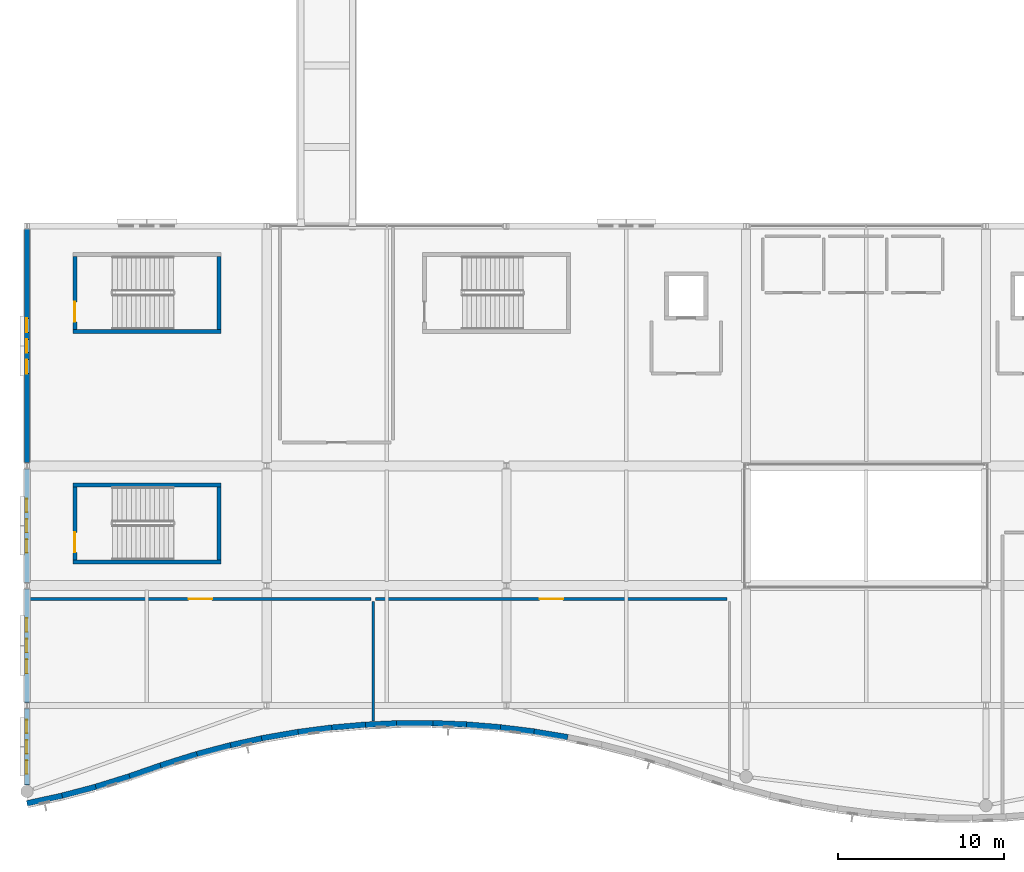
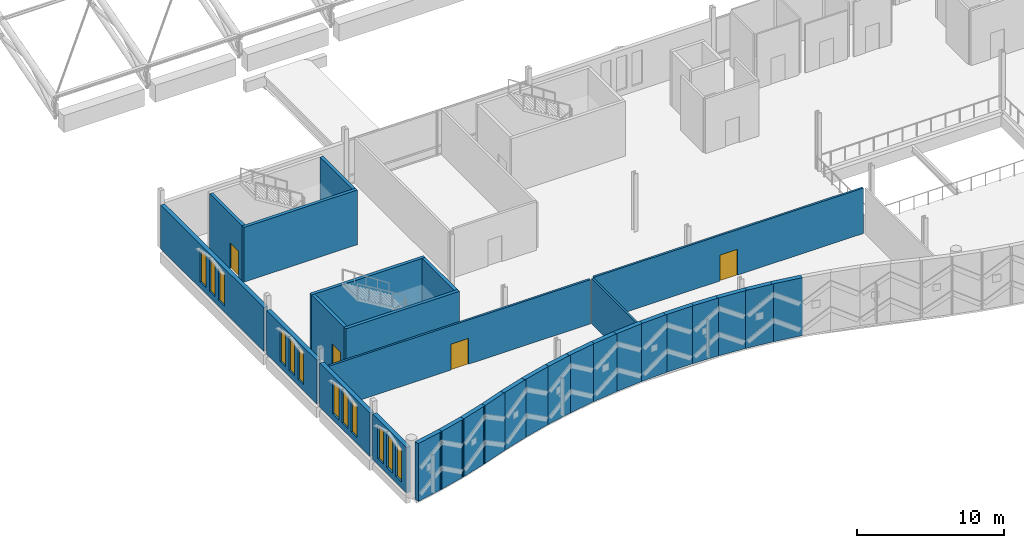
# One storey, part 135 of 193: 30 walls, 12 windows, 4 doors, 16 openings.
"""IFC4 building model written with IfcOpenShell, lengths in metres."""

import ifcopenshell
import ifcopenshell.guid

model = None  # the IFC model being written
_history = None  # IfcOwnerHistory: only IFC2X3 demands one
_inside = {}  # id of a spatial element -> (the spatial element, [elements in it])
_under = {}  # id of a project, library or spatial element -> (it, [spatial elements below it])
_declared = {}  # id of a project -> (the project, [libraries it declares])
_typed = {}  # id of a type object -> (the type object, [elements of that type])
_made_of = {}  # id of a material, layer set ... -> (it, [elements and type objects made of it])


def new_model(schema):
    """Start an empty IFC model of exactly this schema.

    Asked for "IFC4X3", IfcOpenShell would pick the latest addendum, in which some entities
    have other attributes; the version numbers below select the first issue.
    IFC2X3 requires an IfcOwnerHistory on every rooted entity: one is made here for all.
    """
    global model, _history
    if schema == "IFC4X3":
        model = ifcopenshell.file(schema_version=(4, 3, 0, 0))
    else:
        model = ifcopenshell.file(schema=schema)
    _inside.clear()
    _under.clear()
    _declared.clear()
    _typed.clear()
    _made_of.clear()
    _history = None
    if model.schema == "IFC2X3":
        org = make("IfcOrganization", Name="unknown")
        user = make(
            "IfcPersonAndOrganization",
            ThePerson=make("IfcPerson", FamilyName="unknown"),
            TheOrganization=org,
        )
        app = make(
            "IfcApplication",
            ApplicationDeveloper=org,
            Version="unknown",
            ApplicationFullName="unknown",
            ApplicationIdentifier="unknown",
        )
        _history = make(
            "IfcOwnerHistory",
            OwningUser=user,
            OwningApplication=app,
            ChangeAction="ADDED",
            CreationDate=0,
        )
    return model


def make(cls, **values):
    """One entity of the class cls with the attributes given. An attribute that is None is left unset."""
    return model.create_entity(
        cls, **{name: value for name, value in values.items() if value is not None}
    )


def rooted(cls, **values):
    """An entity with a GlobalId (a new one), such as an element, a storey or a relation."""
    return make(cls, GlobalId=ifcopenshell.guid.new(), OwnerHistory=_history, **values)


def si_unit(unit_type, name, prefix=None):
    """IfcSIUnit, for example si_unit("LENGTHUNIT", "METRE", prefix="MILLI")."""
    return make("IfcSIUnit", UnitType=unit_type, Prefix=prefix, Name=name)


def assignment(units):
    """IfcUnitAssignment: the units of a project."""
    return None if units is None else make("IfcUnitAssignment", Units=units)


def point(xyz):
    """IfcCartesianPoint."""
    return None if xyz is None else make("IfcCartesianPoint", Coordinates=xyz)


def direction(xyz):
    """IfcDirection."""
    return None if xyz is None else make("IfcDirection", DirectionRatios=xyz)


def frame(location, z_axis=None, x_axis=None):
    """IfcAxis2Placement3D, a coordinate frame: its origin and axes. An axis left out is left unset."""
    return make(
        "IfcAxis2Placement3D",
        Location=point(location),
        Axis=direction(z_axis),
        RefDirection=direction(x_axis),
    )


def frame_2d(location, x_axis=None):
    """IfcAxis2Placement2D, a coordinate frame in the plane: its origin and x axis."""
    return make(
        "IfcAxis2Placement2D", Location=point(location), RefDirection=direction(x_axis)
    )


def origin():
    """The frame at (0, 0, 0) with its axes left unset."""
    return frame((0.0, 0.0, 0.0))


def place(relative_to, where):
    """IfcLocalPlacement: puts the frame where relative to a parent placement (None: the world)."""
    return make(
        "IfcLocalPlacement", PlacementRelTo=relative_to, RelativePlacement=where
    )


def context(
    kind, dimensions, precision=None, world=None, true_north=None, identifier=None
):
    """IfcGeometricRepresentationContext, for example the 3D "Model" context."""
    return make(
        "IfcGeometricRepresentationContext",
        ContextIdentifier=identifier,
        ContextType=kind,
        CoordinateSpaceDimension=dimensions,
        Precision=precision,
        WorldCoordinateSystem=world,
        TrueNorth=true_north,
    )


def subcontext(parent, identifier, kind, view, scale=None):
    """IfcGeometricRepresentationSubContext, for example "Body" below "Model"."""
    return make(
        "IfcGeometricRepresentationSubContext",
        ContextIdentifier=identifier,
        ContextType=kind,
        ParentContext=parent,
        TargetScale=scale,
        TargetView=view,
    )


def project(units=None, contexts=None):
    """IfcProject with its units and contexts."""
    return rooted(
        "IfcProject",
        Name="project",
        RepresentationContexts=contexts,
        UnitsInContext=assignment(units),
    )


def spatial(cls, under=None, at=None, **own):
    """A site, building, storey or space (cls), placed at a placement, below another one or the project."""
    s = rooted(cls, ObjectPlacement=at, **own)
    if under is not None:
        _under.setdefault(under.id(), (under, []))[1].append(s)
    return s


def profile(cls, at=None, kind="AREA", **sizes):
    """A parametric profile (cls). Its sizes go by their IFC names, for example OverallWidth=200.0."""
    return make(cls, ProfileType=kind, Position=at, **sizes)


def rectangle(**sizes):
    """IfcRectangleProfileDef."""
    return profile("IfcRectangleProfileDef", **sizes)


def extrude(swept, where, along, depth):
    """IfcExtrudedAreaSolid: the profile swept, set in the frame where, extruded along a direction by depth."""
    return make(
        "IfcExtrudedAreaSolid",
        SweptArea=swept,
        Position=where,
        ExtrudedDirection=direction(along),
        Depth=depth,
    )


def shape(context_of_items, identifier, shape_type, items):
    """IfcShapeRepresentation: the items that make up one representation, for example the "Body"."""
    return make(
        "IfcShapeRepresentation",
        ContextOfItems=context_of_items,
        RepresentationIdentifier=identifier,
        RepresentationType=shape_type,
        Items=items,
    )


def material(Name=None, Category=None):
    """IfcMaterial."""
    return make("IfcMaterial", Name=Name, Category=Category)


def layer(
    of_material, thickness, ventilated=None, Name=None, Category=None, Priority=None
):
    """IfcMaterialLayer: one layer of a wall or slab, of a material (None: an air gap)."""
    return make(
        "IfcMaterialLayer",
        Material=of_material,
        LayerThickness=thickness,
        IsVentilated=ventilated,
        Name=Name,
        Category=Category,
        Priority=Priority,
    )


def layer_set(layers, Name=None):
    """IfcMaterialLayerSet."""
    return make("IfcMaterialLayerSet", MaterialLayers=layers, LayerSetName=Name)


def made_of(thing, what):
    """Note that an element or type object is made of a material, layer set ...; save() writes the relation."""
    if what is not None:
        _made_of.setdefault(what.id(), (what, []))[1].append(thing)
    return thing


def type_object(cls, material=None, **own):
    """A type object (cls), such as IfcWallType, which elements share."""
    return made_of(rooted(cls, **own), material)


def element(
    cls,
    number,
    at=None,
    inside=None,
    cuts=None,
    type_object=None,
    material=None,
    context=None,
    identifier="Body",
    shape_type=None,
    held_by="IfcProductDefinitionShape",
    body=None,
    shapes=None,
    **own,
):
    """One element of the class cls, such as IfcWall. Its Tag is "e" and its number.

    at: its placement. inside: the storey or other place that contains it. cuts: it is an
    opening in that element (IfcRelVoidsElement). A single representation is given by context,
    identifier, shape_type and body (its items); several are given by shapes. held_by: the class
    of the entity that holds the representations. save() writes the other relations.
    """
    e = rooted(cls, Tag="e%d" % number, ObjectPlacement=at, **own)
    if body is not None:
        shapes = [shape(context, identifier, shape_type, body)]
    if shapes is not None:
        e.Representation = make(held_by, Representations=shapes)
    if inside is not None:
        _inside.setdefault(inside.id(), (inside, []))[1].append(e)
    if cuts is not None:
        rooted(
            "IfcRelVoidsElement", RelatingBuildingElement=cuts, RelatedOpeningElement=e
        )
    if type_object is not None:
        _typed.setdefault(type_object.id(), (type_object, []))[1].append(e)
    return made_of(e, material)


def fill(opening, filler):
    """IfcRelFillsElement: the door or window that sits in an opening."""
    return rooted(
        "IfcRelFillsElement",
        RelatingOpeningElement=opening,
        RelatedBuildingElement=filler,
    )


def aggregate(whole, parts):
    """IfcRelAggregates: a whole, such as a stair, and the parts it consists of."""
    return rooted("IfcRelAggregates", RelatingObject=whole, RelatedObjects=parts)


def save(model, path):
    """Write the relations noted so far, then the file.

    IfcRelAggregates (storeys below a building ...), IfcRelContainedInSpatialStructure (elements
    in a storey), IfcRelDefinesByType, IfcRelAssociatesMaterial and IfcRelDeclares: one each for
    every whole, place, type object, material and project.
    """
    for whole, parts in _under.values():
        aggregate(whole, parts)
    for where, things in _inside.values():
        rooted(
            "IfcRelContainedInSpatialStructure",
            RelatedElements=things,
            RelatingStructure=where,
        )
    for kind, things in _typed.values():
        rooted("IfcRelDefinesByType", RelatedObjects=things, RelatingType=kind)
    for what, things in _made_of.values():
        rooted("IfcRelAssociatesMaterial", RelatedObjects=things, RelatingMaterial=what)
    for by, libraries in _declared.values():
        rooted("IfcRelDeclares", RelatingContext=by, RelatedDefinitions=libraries)
    model.write(path)


model = new_model("IFC4")

# Units and contexts
model_context = context("Model", 3, precision=1e-05, world=origin(), true_north=direction((0.0, 1.0)))
body_context = subcontext(model_context, "Body", "Model", "MODEL_VIEW")
ifc_project = project(units=[si_unit("LENGTHUNIT", "METRE"), si_unit("AREAUNIT", "SQUARE_METRE"), si_unit("VOLUMEUNIT", "CUBIC_METRE"), si_unit("PLANEANGLEUNIT", "RADIAN"), si_unit("MASSUNIT", "GRAM", prefix="KILO")], contexts=[model_context])

# Site, building, storey
site_placement = place(None, origin())
site = spatial("IfcSite", under=ifc_project, at=site_placement, CompositionType="ELEMENT")
building_placement = place(site_placement, origin())
building = spatial("IfcBuilding", under=site, at=building_placement, Name="Cendralis Lancet Convention Centre", CompositionType="ELEMENT")
storey_placement = place(building_placement, frame((0.0, 0.0, 10.199951171875)))
storey = spatial("IfcBuildingStorey", under=building, at=storey_placement, Name="L02", CompositionType="ELEMENT", Elevation=10.199951171875)

# Wall, openings, windows
ifc_material_1 = material(Name="Buff sandstone ashlar and Concrete G40 (C40/50)", Category="masonry")
ifc_layer_1 = layer(ifc_material_1, 0.320068359375, Name="Buff sandstone ashlar and Concrete G40 (C40/50)")
ifc_layer_set_1 = layer_set([ifc_layer_1], Name="Buff sandstone ashlar and Concrete G40 (C40/50)")
wall_type_1 = type_object("IfcWallType", Name="ARC-EW-W320", PredefinedType="STANDARD", material=ifc_layer_set_1)
wall_1_placement = place(storey_placement, frame((0.0, 2.428466796875, 0.0), z_axis=(0.0, 0.0, 1.0), x_axis=(0.0, 1.0, 0.0)))
wall_1 = element("IfcWall", 1, at=wall_1_placement, inside=storey, type_object=wall_type_1, Name="L02 V4 Exterior Wall EW-06 #0211", PredefinedType="STANDARD", context=body_context, shape_type="SweptSolid", body=[
    extrude(rectangle(XDim=4.58349609375, YDim=0.320068359375, at=frame_2d((2.291748046875, 0.0))), origin(), (0.0, 0.0, 1.0), 3.775146484375),
])
opening_1_placement = place(wall_1_placement, frame((0.671875, 0.0, 0.5)))
opening_1 = element("IfcOpeningElement", 2, at=opening_1_placement, cuts=wall_1, Name="Opening WN-07", PredefinedType="OPENING", context=body_context, shape_type="SweptSolid", body=[
    extrude(rectangle(XDim=0.800048828125, YDim=2.75, at=frame_2d((0.39990234375, 1.375))), frame((0.0, 0.169921875, 0.0), z_axis=(0.0, -1.0, 0.0), x_axis=(1.0, 0.0, 0.0)), (0.0, 0.0, 1.0), 0.340087890625),
])
opening_2_placement = place(wall_1_placement, frame((1.891845703125, 0.0, 0.5)))
opening_2 = element("IfcOpeningElement", 3, at=opening_2_placement, cuts=wall_1, Name="Opening WN-07", PredefinedType="OPENING", context=body_context, shape_type="SweptSolid", body=[
    extrude(rectangle(XDim=0.800048828125, YDim=2.75, at=frame_2d((0.39990234375, 1.375))), frame((0.0, 0.169921875, 0.0), z_axis=(0.0, -1.0, 0.0), x_axis=(1.0, 0.0, 0.0)), (0.0, 0.0, 1.0), 0.340087890625),
])
opening_3_placement = place(wall_1_placement, frame((3.11181640625, 0.0, 0.5)))
opening_3 = element("IfcOpeningElement", 4, at=opening_3_placement, cuts=wall_1, Name="Opening WN-07", PredefinedType="OPENING", context=body_context, shape_type="SweptSolid", body=[
    extrude(rectangle(XDim=0.800048828125, YDim=2.75, at=frame_2d((0.39990234375, 1.375))), frame((0.0, 0.169921875, 0.0), z_axis=(0.0, -1.0, 0.0), x_axis=(1.0, 0.0, 0.0)), (0.0, 0.0, 1.0), 0.340087890625),
])
ifc_material_2 = material(Name="Double-glazed low-E solar-control glass", Category="glass")
window_type_1 = type_object("IfcWindowType", Name="ARC-WN-LW07", PartitioningType="SINGLE_PANEL", PredefinedType="WINDOW", material=ifc_material_2)
window_1_placement = place(opening_1_placement, origin())
window_1 = element("IfcWindow", 5, at=window_1_placement, inside=storey, type_object=window_type_1, Name="Gothic Lancet Window WN-07 #0418", OverallHeight=2.75, OverallWidth=0.800048828125, PartitioningType="SINGLE_PANEL", PredefinedType="WINDOW", context=body_context, shape_type="SweptSolid", body=[
    extrude(rectangle(XDim=0.800048828125, YDim=2.75, at=frame_2d((0.39990234375, 1.375))), frame((0.0, 0.030029296875, 0.0), z_axis=(0.0, -1.0, 0.0), x_axis=(1.0, 0.0, 0.0)), (0.0, 0.0, 1.0), 0.06005859375),
])
fill(opening_1, window_1)
window_2_placement = place(opening_2_placement, origin())
window_2 = element("IfcWindow", 6, at=window_2_placement, inside=storey, type_object=window_type_1, Name="Gothic Lancet Window WN-07 #0419", OverallHeight=2.75, OverallWidth=0.800048828125, PartitioningType="SINGLE_PANEL", PredefinedType="WINDOW", context=body_context, shape_type="SweptSolid", body=[
    extrude(rectangle(XDim=0.800048828125, YDim=2.75, at=frame_2d((0.39990234375, 1.375))), frame((0.0, 0.030029296875, 0.0), z_axis=(0.0, -1.0, 0.0), x_axis=(1.0, 0.0, 0.0)), (0.0, 0.0, 1.0), 0.06005859375),
])
fill(opening_2, window_2)
window_3_placement = place(opening_3_placement, origin())
window_3 = element("IfcWindow", 7, at=window_3_placement, inside=storey, type_object=window_type_1, Name="Gothic Lancet Window WN-07 #0420", OverallHeight=2.75, OverallWidth=0.800048828125, PartitioningType="SINGLE_PANEL", PredefinedType="WINDOW", context=body_context, shape_type="SweptSolid", body=[
    extrude(rectangle(XDim=0.800048828125, YDim=2.75, at=frame_2d((0.39990234375, 1.375))), frame((0.0, 0.030029296875, 0.0), z_axis=(0.0, -1.0, 0.0), x_axis=(1.0, 0.0, 0.0)), (0.0, 0.0, 1.0), 0.06005859375),
])
fill(opening_3, window_3)

wall_2_placement = place(storey_placement, frame((0.0, 7.387939453125, 0.0), z_axis=(0.0, 0.0, 1.0), x_axis=(0.0, 1.0, 0.0)))
wall_2 = element("IfcWall", 8, at=wall_2_placement, inside=storey, type_object=wall_type_1, Name="L02 V4 Exterior Wall EW-06 #0212", PredefinedType="STANDARD", context=body_context, shape_type="SweptSolid", body=[
    extrude(rectangle(XDim=6.823974609375, YDim=0.320068359375, at=frame_2d((3.412109375, 0.0))), origin(), (0.0, 0.0, 1.0), 3.625),
])
opening_4_placement = place(wall_2_placement, frame((1.751953125, 0.0, 0.5)))
opening_4 = element("IfcOpeningElement", 9, at=opening_4_placement, cuts=wall_2, Name="Opening WN-15", PredefinedType="OPENING", context=body_context, shape_type="SweptSolid", body=[
    extrude(rectangle(XDim=0.840087890625, YDim=2.699951171875, at=frame_2d((0.419921875, 1.35009765625))), frame((0.0, 0.169921875, 0.0), z_axis=(0.0, -1.0, 0.0), x_axis=(1.0, 0.0, 0.0)), (0.0, 0.0, 1.0), 0.340087890625),
])
opening_5_placement = place(wall_2_placement, frame((3.011962890625, 0.0, 0.5)))
opening_5 = element("IfcOpeningElement", 10, at=opening_5_placement, cuts=wall_2, Name="Opening WN-07", PredefinedType="OPENING", context=body_context, shape_type="SweptSolid", body=[
    extrude(rectangle(XDim=0.800048828125, YDim=2.75, at=frame_2d((0.39990234375, 1.375))), frame((0.0, 0.169921875, 0.0), z_axis=(0.0, -1.0, 0.0), x_axis=(1.0, 0.0, 0.0)), (0.0, 0.0, 1.0), 0.340087890625),
])
opening_6_placement = place(wall_2_placement, frame((4.23193359375, 0.0, 0.5)))
opening_6 = element("IfcOpeningElement", 11, at=opening_6_placement, cuts=wall_2, Name="Opening WN-15", PredefinedType="OPENING", context=body_context, shape_type="SweptSolid", body=[
    extrude(rectangle(XDim=0.840087890625, YDim=2.699951171875, at=frame_2d((0.419921875, 1.35009765625))), frame((0.0, 0.169921875, 0.0), z_axis=(0.0, -1.0, 0.0), x_axis=(1.0, 0.0, 0.0)), (0.0, 0.0, 1.0), 0.340087890625),
])
window_4_placement = place(opening_5_placement, origin())
window_4 = element("IfcWindow", 12, at=window_4_placement, inside=storey, type_object=window_type_1, Name="Gothic Lancet Window WN-07 #0422", OverallHeight=2.75, OverallWidth=0.800048828125, PartitioningType="SINGLE_PANEL", PredefinedType="WINDOW", context=body_context, shape_type="SweptSolid", body=[
    extrude(rectangle(XDim=0.800048828125, YDim=2.75, at=frame_2d((0.39990234375, 1.375))), frame((0.0, 0.030029296875, 0.0), z_axis=(0.0, -1.0, 0.0), x_axis=(1.0, 0.0, 0.0)), (0.0, 0.0, 1.0), 0.06005859375),
])
fill(opening_5, window_4)
window_type_2 = type_object("IfcWindowType", Name="ARC-WN-LW15", PartitioningType="SINGLE_PANEL", PredefinedType="WINDOW", material=ifc_material_2)
window_5_placement = place(opening_4_placement, origin())
window_5 = element("IfcWindow", 13, at=window_5_placement, inside=storey, type_object=window_type_2, Name="Gothic Lancet Window WN-15 #0421", OverallHeight=2.699951171875, OverallWidth=0.840087890625, PartitioningType="SINGLE_PANEL", PredefinedType="WINDOW", context=body_context, shape_type="SweptSolid", body=[
    extrude(rectangle(XDim=0.840087890625, YDim=2.699951171875, at=frame_2d((0.419921875, 1.35009765625))), frame((0.0, 0.030029296875, 0.0), z_axis=(0.0, -1.0, 0.0), x_axis=(1.0, 0.0, 0.0)), (0.0, 0.0, 1.0), 0.06005859375),
])
fill(opening_4, window_5)
window_6_placement = place(opening_6_placement, origin())
window_6 = element("IfcWindow", 14, at=window_6_placement, inside=storey, type_object=window_type_2, Name="Gothic Lancet Window WN-15 #0423", OverallHeight=2.699951171875, OverallWidth=0.840087890625, PartitioningType="SINGLE_PANEL", PredefinedType="WINDOW", context=body_context, shape_type="SweptSolid", body=[
    extrude(rectangle(XDim=0.840087890625, YDim=2.699951171875, at=frame_2d((0.419921875, 1.35009765625))), frame((0.0, 0.030029296875, 0.0), z_axis=(0.0, -1.0, 0.0), x_axis=(1.0, 0.0, 0.0)), (0.0, 0.0, 1.0), 0.06005859375),
])
fill(opening_6, window_6)

wall_3_placement = place(storey_placement, frame((0.0, 14.587890625, 0.0), z_axis=(0.0, 0.0, 1.0), x_axis=(0.0, 1.0, 0.0)))
wall_3 = element("IfcWall", 15, at=wall_3_placement, inside=storey, type_object=wall_type_1, Name="L02 V4 Exterior Wall EW-06 #0213", PredefinedType="STANDARD", context=body_context, shape_type="SweptSolid", body=[
    extrude(rectangle(XDim=6.82421875, YDim=0.320068359375, at=frame_2d((3.412109375, 0.0))), origin(), (0.0, 0.0, 1.0), 3.625),
])
opening_7_placement = place(wall_3_placement, frame((1.7919921875, 0.0, 0.5)))
opening_7 = element("IfcOpeningElement", 16, at=opening_7_placement, cuts=wall_3, Name="Opening WN-07", PredefinedType="OPENING", context=body_context, shape_type="SweptSolid", body=[
    extrude(rectangle(XDim=0.800048828125, YDim=2.75, at=frame_2d((0.39990234375, 1.375))), frame((0.0, 0.169921875, 0.0), z_axis=(0.0, -1.0, 0.0), x_axis=(1.0, 0.0, 0.0)), (0.0, 0.0, 1.0), 0.340087890625),
])
opening_8_placement = place(wall_3_placement, frame((3.011962890625, 0.0, 0.5)))
opening_8 = element("IfcOpeningElement", 17, at=opening_8_placement, cuts=wall_3, Name="Opening WN-07", PredefinedType="OPENING", context=body_context, shape_type="SweptSolid", body=[
    extrude(rectangle(XDim=0.800048828125, YDim=2.75, at=frame_2d((0.39990234375, 1.375))), frame((0.0, 0.169921875, 0.0), z_axis=(0.0, -1.0, 0.0), x_axis=(1.0, 0.0, 0.0)), (0.0, 0.0, 1.0), 0.340087890625),
])
opening_9_placement = place(wall_3_placement, frame((4.23193359375, 0.0, 0.5)))
opening_9 = element("IfcOpeningElement", 18, at=opening_9_placement, cuts=wall_3, Name="Opening WN-07", PredefinedType="OPENING", context=body_context, shape_type="SweptSolid", body=[
    extrude(rectangle(XDim=0.800048828125, YDim=2.75, at=frame_2d((0.39990234375, 1.375))), frame((0.0, 0.169921875, 0.0), z_axis=(0.0, -1.0, 0.0), x_axis=(1.0, 0.0, 0.0)), (0.0, 0.0, 1.0), 0.340087890625),
])
window_7_placement = place(opening_7_placement, origin())
window_7 = element("IfcWindow", 19, at=window_7_placement, inside=storey, type_object=window_type_1, Name="Gothic Lancet Window WN-07 #0424", OverallHeight=2.75, OverallWidth=0.800048828125, PartitioningType="SINGLE_PANEL", PredefinedType="WINDOW", context=body_context, shape_type="SweptSolid", body=[
    extrude(rectangle(XDim=0.800048828125, YDim=2.75, at=frame_2d((0.39990234375, 1.375))), frame((0.0, 0.030029296875, 0.0), z_axis=(0.0, -1.0, 0.0), x_axis=(1.0, 0.0, 0.0)), (0.0, 0.0, 1.0), 0.06005859375),
])
fill(opening_7, window_7)
window_8_placement = place(opening_8_placement, origin())
window_8 = element("IfcWindow", 20, at=window_8_placement, inside=storey, type_object=window_type_1, Name="Gothic Lancet Window WN-07 #0425", OverallHeight=2.75, OverallWidth=0.800048828125, PartitioningType="SINGLE_PANEL", PredefinedType="WINDOW", context=body_context, shape_type="SweptSolid", body=[
    extrude(rectangle(XDim=0.800048828125, YDim=2.75, at=frame_2d((0.39990234375, 1.375))), frame((0.0, 0.030029296875, 0.0), z_axis=(0.0, -1.0, 0.0), x_axis=(1.0, 0.0, 0.0)), (0.0, 0.0, 1.0), 0.06005859375),
])
fill(opening_8, window_8)
window_9_placement = place(opening_9_placement, origin())
window_9 = element("IfcWindow", 21, at=window_9_placement, inside=storey, type_object=window_type_1, Name="Gothic Lancet Window WN-07 #0426", OverallHeight=2.75, OverallWidth=0.800048828125, PartitioningType="SINGLE_PANEL", PredefinedType="WINDOW", context=body_context, shape_type="SweptSolid", body=[
    extrude(rectangle(XDim=0.800048828125, YDim=2.75, at=frame_2d((0.39990234375, 1.375))), frame((0.0, 0.030029296875, 0.0), z_axis=(0.0, -1.0, 0.0), x_axis=(1.0, 0.0, 0.0)), (0.0, 0.0, 1.0), 0.06005859375),
])
fill(opening_9, window_9)

wall_4_placement = place(storey_placement, frame((0.0, 21.7880859375, 0.0), z_axis=(0.0, 0.0, 1.0), x_axis=(0.0, 1.0, 0.0)))
wall_4 = element("IfcWall", 22, at=wall_4_placement, inside=storey, type_object=wall_type_1, Name="L02 V4 Exterior Wall EW-06 #0214", PredefinedType="STANDARD", context=body_context, shape_type="SweptSolid", body=[
    extrude(rectangle(XDim=14.02392578125, YDim=0.320068359375, at=frame_2d((7.011962890625, 0.0))), origin(), (0.0, 0.0, 1.0), 3.625),
])
opening_10_placement = place(wall_4_placement, frame((5.35205078125, 0.0, 0.5)))
opening_10 = element("IfcOpeningElement", 23, at=opening_10_placement, cuts=wall_4, Name="Opening WN-15", PredefinedType="OPENING", context=body_context, shape_type="SweptSolid", body=[
    extrude(rectangle(XDim=0.840087890625, YDim=2.699951171875, at=frame_2d((0.419921875, 1.35009765625))), frame((0.0, 0.169921875, 0.0), z_axis=(0.0, -1.0, 0.0), x_axis=(1.0, 0.0, 0.0)), (0.0, 0.0, 1.0), 0.340087890625),
])
opening_11_placement = place(wall_4_placement, frame((6.612060546875, 0.0, 0.5)))
opening_11 = element("IfcOpeningElement", 24, at=opening_11_placement, cuts=wall_4, Name="Opening WN-07", PredefinedType="OPENING", context=body_context, shape_type="SweptSolid", body=[
    extrude(rectangle(XDim=0.800048828125, YDim=2.75, at=frame_2d((0.39990234375, 1.375))), frame((0.0, 0.169921875, 0.0), z_axis=(0.0, -1.0, 0.0), x_axis=(1.0, 0.0, 0.0)), (0.0, 0.0, 1.0), 0.340087890625),
])
opening_12_placement = place(wall_4_placement, frame((7.83203125, 0.0, 0.5)))
opening_12 = element("IfcOpeningElement", 25, at=opening_12_placement, cuts=wall_4, Name="Opening WN-15", PredefinedType="OPENING", context=body_context, shape_type="SweptSolid", body=[
    extrude(rectangle(XDim=0.840087890625, YDim=2.699951171875, at=frame_2d((0.419921875, 1.35009765625))), frame((0.0, 0.169921875, 0.0), z_axis=(0.0, -1.0, 0.0), x_axis=(1.0, 0.0, 0.0)), (0.0, 0.0, 1.0), 0.340087890625),
])
window_10_placement = place(opening_11_placement, origin())
window_10 = element("IfcWindow", 26, at=window_10_placement, inside=storey, type_object=window_type_1, Name="Gothic Lancet Window WN-07 #0428", OverallHeight=2.75, OverallWidth=0.800048828125, PartitioningType="SINGLE_PANEL", PredefinedType="WINDOW", context=body_context, shape_type="SweptSolid", body=[
    extrude(rectangle(XDim=0.800048828125, YDim=2.75, at=frame_2d((0.39990234375, 1.375))), frame((0.0, 0.030029296875, 0.0), z_axis=(0.0, -1.0, 0.0), x_axis=(1.0, 0.0, 0.0)), (0.0, 0.0, 1.0), 0.06005859375),
])
fill(opening_11, window_10)
window_11_placement = place(opening_10_placement, origin())
window_11 = element("IfcWindow", 27, at=window_11_placement, inside=storey, type_object=window_type_2, Name="Gothic Lancet Window WN-15 #0427", OverallHeight=2.699951171875, OverallWidth=0.840087890625, PartitioningType="SINGLE_PANEL", PredefinedType="WINDOW", context=body_context, shape_type="SweptSolid", body=[
    extrude(rectangle(XDim=0.840087890625, YDim=2.699951171875, at=frame_2d((0.419921875, 1.35009765625))), frame((0.0, 0.030029296875, 0.0), z_axis=(0.0, -1.0, 0.0), x_axis=(1.0, 0.0, 0.0)), (0.0, 0.0, 1.0), 0.06005859375),
])
fill(opening_10, window_11)
window_12_placement = place(opening_12_placement, origin())
window_12 = element("IfcWindow", 28, at=window_12_placement, inside=storey, type_object=window_type_2, Name="Gothic Lancet Window WN-15 #0429", OverallHeight=2.699951171875, OverallWidth=0.840087890625, PartitioningType="SINGLE_PANEL", PredefinedType="WINDOW", context=body_context, shape_type="SweptSolid", body=[
    extrude(rectangle(XDim=0.840087890625, YDim=2.699951171875, at=frame_2d((0.419921875, 1.35009765625))), frame((0.0, 0.030029296875, 0.0), z_axis=(0.0, -1.0, 0.0), x_axis=(1.0, 0.0, 0.0)), (0.0, 0.0, 1.0), 0.06005859375),
])
fill(opening_12, window_12)

# Walls
ifc_layer_2 = layer(ifc_material_1, 0.340087890625, Name="Buff sandstone ashlar and Concrete G40 (C40/50)")
ifc_layer_set_2 = layer_set([ifc_layer_2], Name="Buff sandstone ashlar and Concrete G40 (C40/50)")
wall_type_2 = type_object("IfcWallType", Name="ARC-EW-W340", PredefinedType="STANDARD", material=ifc_layer_set_2)
wall_5_placement = place(storey_placement, frame((0.0, 1.324951171875, 0.0), z_axis=(0.0, 0.0, 1.0), x_axis=(0.977391411292, 0.211438003045, 0.0)))
element("IfcWall", 29, at=wall_5_placement, inside=storey, type_object=wall_type_2, Name="South Boulevard Wave Wall L02 WP-001-WP-002", PredefinedType="STANDARD", context=body_context, shape_type="SweptSolid", body=[
    extrude(rectangle(XDim=2.156982421875, YDim=0.340087890625, at=frame_2d((1.07861328125, 0.0))), origin(), (0.0, 0.0, 1.0), 4.800048828125),
])
wall_6_placement = place(storey_placement, frame((1.94287109375, 1.741455078125, 0.0), z_axis=(0.0, 0.0, 1.0), x_axis=(0.967279624391, 0.253712688365, 0.0)))
element("IfcWall", 30, at=wall_6_placement, inside=storey, type_object=wall_type_2, Name="South Boulevard Wave Wall L02 WP-002-WP-003", PredefinedType="STANDARD", context=body_context, shape_type="SweptSolid", body=[
    extrude(rectangle(XDim=2.26318359375, YDim=0.340087890625, at=frame_2d((1.131591796875, 0.0))), origin(), (0.0, 0.0, 1.0), 4.800048828125),
])
wall_7_placement = place(storey_placement, frame((3.96875, 2.268798828125, 0.0), z_axis=(0.0, 0.0, 1.0), x_axis=(0.955303090407, 0.295628154037, 0.0)))
element("IfcWall", 31, at=wall_7_placement, inside=storey, type_object=wall_type_2, Name="South Boulevard Wave Wall L02 WP-003-WP-004", PredefinedType="STANDARD", context=body_context, shape_type="SweptSolid", body=[
    extrude(rectangle(XDim=2.290771484375, YDim=0.340087890625, at=frame_2d((1.1455078125, 0.0))), origin(), (0.0, 0.0, 1.0), 4.800048828125),
])
wall_8_placement = place(storey_placement, frame((5.99560546875, 2.89306640625, 0.0), z_axis=(0.0, 0.0, 1.0), x_axis=(0.94443416272, 0.328700642359, 0.0)))
element("IfcWall", 32, at=wall_8_placement, inside=storey, type_object=wall_type_2, Name="South Boulevard Wave Wall L02 WP-004-WP-005", PredefinedType="STANDARD", context=body_context, shape_type="SweptSolid", body=[
    extrude(rectangle(XDim=2.314453125, YDim=0.340087890625, at=frame_2d((1.1572265625, 0.0))), origin(), (0.0, 0.0, 1.0), 4.800048828125),
])
wall_9_placement = place(storey_placement, frame((8.02001953125, 3.6005859375, 0.0), z_axis=(0.0, 0.0, 1.0), x_axis=(0.954309219856, 0.29882087092, 0.0)))
element("IfcWall", 33, at=wall_9_placement, inside=storey, type_object=wall_type_2, Name="South Boulevard Wave Wall L02 WP-005-WP-006", PredefinedType="STANDARD", context=body_context, shape_type="SweptSolid", body=[
    extrude(rectangle(XDim=2.291748046875, YDim=0.340087890625, at=frame_2d((1.14599609375, 0.0))), origin(), (0.0, 0.0, 1.0), 4.800048828125),
])
wall_10_placement = place(storey_placement, frame((10.043701171875, 4.23828125, 0.0), z_axis=(0.0, 0.0, 1.0), x_axis=(0.966488469337, 0.256710028318, 0.0)))
element("IfcWall", 34, at=wall_10_placement, inside=storey, type_object=wall_type_2, Name="South Boulevard Wave Wall L02 WP-006-WP-007", PredefinedType="STANDARD", context=body_context, shape_type="SweptSolid", body=[
    extrude(rectangle(XDim=2.265380859375, YDim=0.340087890625, at=frame_2d((1.1328125, 0.0))), origin(), (0.0, 0.0, 1.0), 4.800048828125),
])
wall_11_placement = place(storey_placement, frame((12.068115234375, 4.77978515625, 0.0), z_axis=(0.0, 0.0, 1.0), x_axis=(0.976716550921, 0.214533864827, 0.0)))
element("IfcWall", 35, at=wall_11_placement, inside=storey, type_object=wall_type_2, Name="South Boulevard Wave Wall L02 WP-007-WP-008", PredefinedType="STANDARD", context=body_context, shape_type="SweptSolid", body=[
    extrude(rectangle(XDim=2.244140625, YDim=0.340087890625, at=frame_2d((1.1220703125, 0.0))), origin(), (0.0, 0.0, 1.0), 4.800048828125),
])
wall_12_placement = place(storey_placement, frame((14.09326171875, 5.228271484375, 0.0), z_axis=(0.0, 0.0, 1.0), x_axis=(0.984965211382, 0.172752807119, 0.0)))
element("IfcWall", 36, at=wall_12_placement, inside=storey, type_object=wall_type_2, Name="South Boulevard Wave Wall L02 WP-008-WP-009", PredefinedType="STANDARD", context=body_context, shape_type="SweptSolid", body=[
    extrude(rectangle(XDim=2.225830078125, YDim=0.340087890625, at=frame_2d((1.11279296875, 0.0))), origin(), (0.0, 0.0, 1.0), 4.800048828125),
])
wall_13_placement = place(storey_placement, frame((16.11767578125, 5.5869140625, 0.0), z_axis=(0.0, 0.0, 1.0), x_axis=(0.991486191208, 0.130211875974, 0.0)))
element("IfcWall", 37, at=wall_13_placement, inside=storey, type_object=wall_type_2, Name="South Boulevard Wave Wall L02 WP-009-WP-010", PredefinedType="STANDARD", context=body_context, shape_type="SweptSolid", body=[
    extrude(rectangle(XDim=2.21240234375, YDim=0.340087890625, at=frame_2d((1.106201171875, 0.0))), origin(), (0.0, 0.0, 1.0), 4.800048828125),
])
wall_14_placement = place(storey_placement, frame((18.142333984375, 5.8564453125, 0.0), z_axis=(0.0, 0.0, 1.0), x_axis=(0.996110991358, 0.088107280611, 0.0)))
element("IfcWall", 38, at=wall_14_placement, inside=storey, type_object=wall_type_2, Name="South Boulevard Wave Wall L02 WP-010-WP-011", PredefinedType="STANDARD", context=body_context, shape_type="SweptSolid", body=[
    extrude(rectangle(XDim=2.202880859375, YDim=0.340087890625, at=frame_2d((1.1015625, 0.0))), origin(), (0.0, 0.0, 1.0), 4.800048828125),
])
wall_15_placement = place(storey_placement, frame((20.1669921875, 6.0390625, 0.0), z_axis=(0.0, 0.0, 1.0), x_axis=(0.998967623962, 0.045427813898, 0.0)))
element("IfcWall", 39, at=wall_15_placement, inside=storey, type_object=wall_type_2, Name="South Boulevard Wave Wall L02 WP-011-WP-012", PredefinedType="STANDARD", context=body_context, shape_type="SweptSolid", body=[
    extrude(rectangle(XDim=2.197998046875, YDim=0.340087890625, at=frame_2d((1.09912109375, 0.0))), origin(), (0.0, 0.0, 1.0), 4.800048828125),
])
wall_16_placement = place(storey_placement, frame((22.193115234375, 6.134765625, 0.0), z_axis=(0.0, 0.0, 1.0), x_axis=(0.999992421526, 0.003893185178, 0.0)))
element("IfcWall", 40, at=wall_16_placement, inside=storey, type_object=wall_type_2, Name="South Boulevard Wave Wall L02 WP-012-WP-013", PredefinedType="STANDARD", context=body_context, shape_type="SweptSolid", body=[
    extrude(rectangle(XDim=2.19482421875, YDim=0.340087890625, at=frame_2d((1.097412109375, 0.0))), origin(), (0.0, 0.0, 1.0), 4.800048828125),
])
wall_17_placement = place(storey_placement, frame((24.218017578125, 6.146240234375, 0.0), z_axis=(0.0, 0.0, 1.0), x_axis=(0.999243004404, -0.038902675366, 0.0)))
element("IfcWall", 41, at=wall_17_placement, inside=storey, type_object=wall_type_2, Name="South Boulevard Wave Wall L02 WP-013-WP-014", PredefinedType="STANDARD", context=body_context, shape_type="SweptSolid", body=[
    extrude(rectangle(XDim=2.196533203125, YDim=0.340087890625, at=frame_2d((1.09814453125, 0.0))), origin(), (0.0, 0.0, 1.0), 4.800048828125),
])
wall_18_placement = place(storey_placement, frame((26.243408203125, 6.07080078125, 0.0), z_axis=(0.0, 0.0, 1.0), x_axis=(0.996735804633, -0.080732495079, 0.0)))
element("IfcWall", 42, at=wall_18_placement, inside=storey, type_object=wall_type_2, Name="South Boulevard Wave Wall L02 WP-014-WP-015", PredefinedType="STANDARD", context=body_context, shape_type="SweptSolid", body=[
    extrude(rectangle(XDim=2.201416015625, YDim=0.340087890625, at=frame_2d((1.1005859375, 0.0))), origin(), (0.0, 0.0, 1.0), 4.800048828125),
])
wall_19_placement = place(storey_placement, frame((28.2685546875, 5.910400390625, 0.0), z_axis=(0.0, 0.0, 1.0), x_axis=(0.992403097248, -0.123028828214, 0.0)))
element("IfcWall", 43, at=wall_19_placement, inside=storey, type_object=wall_type_2, Name="South Boulevard Wave Wall L02 WP-015-WP-016", PredefinedType="STANDARD", context=body_context, shape_type="SweptSolid", body=[
    extrude(rectangle(XDim=2.210693359375, YDim=0.340087890625, at=frame_2d((1.10546875, 0.0))), origin(), (0.0, 0.0, 1.0), 4.800048828125),
])
wall_20_placement = place(storey_placement, frame((30.294189453125, 5.6630859375, 0.0), z_axis=(0.0, 0.0, 1.0), x_axis=(0.986277976668, -0.165093163818, 0.0)))
element("IfcWall", 44, at=wall_20_placement, inside=storey, type_object=wall_type_2, Name="South Boulevard Wave Wall L02 WP-016-WP-017", PredefinedType="STANDARD", context=body_context, shape_type="SweptSolid", body=[
    extrude(rectangle(XDim=2.22412109375, YDim=0.340087890625, at=frame_2d((1.112060546875, 0.0))), origin(), (0.0, 0.0, 1.0), 4.800048828125),
])
ifc_material_3 = material(Name="Acoustic fire-rated gypsum board on steel studs", Category="steel")
ifc_layer_3 = layer(ifc_material_3, 0.139892578125, Name="Acoustic fire-rated gypsum board on steel studs")
ifc_layer_set_3 = layer_set([ifc_layer_3], Name="Acoustic fire-rated gypsum board on steel studs")
wall_type_3 = type_object("IfcWallType", Name="ARC-IW-P140", PredefinedType="PARTITIONING", material=ifc_layer_set_3)
wall_21_placement = place(storey_placement, frame((20.800048828125, 6.26611328125, 0.0), z_axis=(0.0, 0.0, 1.0), x_axis=(0.0, 1.0, 0.0)))
element("IfcWall", 45, at=wall_21_placement, inside=storey, type_object=wall_type_3, Name="L02 Interior Partition IW-04 #0256", PredefinedType="PARTITIONING", context=body_context, shape_type="SweptSolid", body=[
    extrude(rectangle(XDim=7.19384765625, YDim=0.139892578125, at=frame_2d((3.596923828125, 0.0))), origin(), (0.0, 0.0, 1.0), 3.775146484375),
])

# Wall, opening, door
ifc_layer_4 = layer(ifc_material_3, 0.159912109375, Name="Acoustic fire-rated gypsum board on steel studs")
ifc_layer_set_4 = layer_set([ifc_layer_4], Name="Acoustic fire-rated gypsum board on steel studs")
wall_type_4 = type_object("IfcWallType", Name="ARC-IW-P160", PredefinedType="PARTITIONING", material=ifc_layer_set_4)
wall_22_placement = place(storey_placement, frame((0.169921875, 13.60009765625, 0.0), z_axis=(0.0, 0.0, 1.0), x_axis=(1.0, 0.0, 0.0)))
wall_22 = element("IfcWall", 46, at=wall_22_placement, inside=storey, type_object=wall_type_4, Name="L02 Interior Partition IW-03 #0255", PredefinedType="PARTITIONING", context=body_context, shape_type="SweptSolid", body=[
    extrude(rectangle(XDim=20.489990234375, YDim=0.159912109375, at=frame_2d((10.2451171875, 0.0))), origin(), (0.0, 0.0, 1.0), 3.675048828125),
])
opening_13_placement = place(wall_22_placement, frame((9.544921875, 0.0, 0.0)))
opening_13 = element("IfcOpeningElement", 47, at=opening_13_placement, cuts=wall_22, Name="Opening ID-14", PredefinedType="OPENING", context=body_context, shape_type="SweptSolid", body=[
    extrude(rectangle(XDim=1.39990234375, YDim=2.14990234375, at=frame_2d((0.699951171875, 1.074951171875))), frame((0.0, 0.08984375, 0.0), z_axis=(0.0, -1.0, 0.0), x_axis=(1.0, 0.0, 0.0)), (0.0, 0.0, 1.0), 0.179931640625),
])
ifc_material_4 = material(Name="Acoustic Chilean lenga timber and steel fire leaf", Category="steel")
door_type_1 = type_object("IfcDoorType", Name="ARC-DR-DB14", OperationType="NOTDEFINED", PredefinedType="DOOR", material=ifc_material_4)
door_1_placement = place(opening_13_placement, origin())
door_1 = element("IfcDoor", 48, at=door_1_placement, inside=storey, type_object=door_type_1, Name="L02-D012 L02 Interior Door ID-14 #0084", OperationType="DOUBLE_DOOR_SINGLE_SWING", OverallHeight=2.14990234375, OverallWidth=1.39990234375, PredefinedType="DOOR", context=body_context, shape_type="SweptSolid", body=[
    extrude(rectangle(XDim=1.39990234375, YDim=2.14990234375, at=frame_2d((0.699951171875, 1.074951171875))), frame((0.0, 0.02490234375, 0.0), z_axis=(0.0, -1.0, 0.0), x_axis=(1.0, 0.0, 0.0)), (0.0, 0.0, 1.0), 0.050048828125),
])
fill(opening_13, door_1)

wall_23_placement = place(storey_placement, frame((20.93994140625, 13.60009765625, 0.0), z_axis=(0.0, 0.0, 1.0), x_axis=(1.0, 0.0, 0.0)))
wall_23 = element("IfcWall", 49, at=wall_23_placement, inside=storey, type_object=wall_type_4, Name="L02 Interior Partition IW-03 #0257", PredefinedType="PARTITIONING", context=body_context, shape_type="SweptSolid", body=[
    extrude(rectangle(XDim=21.1201171875, YDim=0.159912109375, at=frame_2d((10.56005859375, 0.0))), origin(), (0.0, 0.0, 1.0), 3.775146484375),
])
opening_14_placement = place(wall_23_placement, frame((9.860107421875, 0.0, 0.0)))
opening_14 = element("IfcOpeningElement", 50, at=opening_14_placement, cuts=wall_23, Name="Opening ID-14", PredefinedType="OPENING", context=body_context, shape_type="SweptSolid", body=[
    extrude(rectangle(XDim=1.39990234375, YDim=2.14990234375, at=frame_2d((0.699951171875, 1.074951171875))), frame((0.0, 0.08984375, 0.0), z_axis=(0.0, -1.0, 0.0), x_axis=(1.0, 0.0, 0.0)), (0.0, 0.0, 1.0), 0.179931640625),
])
door_2_placement = place(opening_14_placement, frame((1.39990234375, 0.0, 0.0), z_axis=(0.0, 0.0, 1.0), x_axis=(-1.0, 0.0, 0.0)))
door_2 = element("IfcDoor", 51, at=door_2_placement, inside=storey, type_object=door_type_1, Name="L02-D013 L02 Interior Door ID-14 #0085", OperationType="DOUBLE_DOOR_SINGLE_SWING", OverallHeight=2.14990234375, OverallWidth=1.39990234375, PredefinedType="DOOR", context=body_context, shape_type="SweptSolid", body=[
    extrude(rectangle(XDim=1.39990234375, YDim=2.14990234375, at=frame_2d((0.699951171875, 1.074951171875))), frame((0.0, 0.02490234375, 0.0), z_axis=(0.0, -1.0, 0.0), x_axis=(1.0, 0.0, 0.0)), (0.0, 0.0, 1.0), 0.050048828125),
])
fill(opening_14, door_2)

ifc_material_5 = material(Name="Concrete G40 (C40/50)", Category="concrete")
ifc_layer_5 = layer(ifc_material_5, 0.25, Name="Concrete G40 (C40/50)")
ifc_layer_set_5 = layer_set([ifc_layer_5], Name="Concrete G40 (C40/50)")
wall_type_5 = type_object("IfcWallType", Name="STR-SW-CW250", PredefinedType="SHEAR", material=ifc_layer_set_5)
wall_24_placement = place(storey_placement, frame((2.875, 15.949951171875, 0.0), z_axis=(0.0, 0.0, 1.0), x_axis=(0.0, 1.0, 0.0)))
wall_24 = element("IfcWall", 52, at=wall_24_placement, inside=storey, type_object=wall_type_5, Name="L02 Stair Core ST-17 West Shear Wall", PredefinedType="SHEAR", context=body_context, shape_type="SweptSolid", body=[
    extrude(rectangle(XDim=4.380126953125, YDim=0.25, at=frame_2d((2.18994140625, 0.0))), origin(), (0.0, 0.0, 1.0), 4.5400390625),
])
opening_15_placement = place(wall_24_placement, frame((0.449951171875, 0.0, 0.0)))
opening_15 = element("IfcOpeningElement", 53, at=opening_15_placement, cuts=wall_24, Name="Opening SD-12", PredefinedType="OPENING", context=body_context, shape_type="SweptSolid", body=[
    extrude(rectangle(XDim=1.199951171875, YDim=2.14990234375, at=frame_2d((0.60009765625, 1.074951171875))), frame((0.0, 0.135009765625, 0.0), z_axis=(0.0, -1.0, 0.0), x_axis=(1.0, 0.0, 0.0)), (0.0, 0.0, 1.0), 0.27001953125),
])
ifc_material_6 = material(Name="Steel S355", Category="steel")
door_type_2 = type_object("IfcDoorType", Name="ARC-DR-ST12", OperationType="NOTDEFINED", PredefinedType="DOOR", material=ifc_material_6)
door_3_placement = place(opening_15_placement, frame((1.199951171875, 0.0, 0.0), z_axis=(0.0, 0.0, 1.0), x_axis=(-1.0, 0.0, 0.0)))
door_3 = element("IfcDoor", 54, at=door_3_placement, inside=storey, type_object=door_type_2, Name="L02-D064 L02 Exit Stair ST-17 Fire Door", OperationType="SINGLE_SWING_LEFT", OverallHeight=2.14990234375, OverallWidth=1.199951171875, PredefinedType="DOOR", context=body_context, shape_type="SweptSolid", body=[
    extrude(rectangle(XDim=1.199951171875, YDim=2.14990234375, at=frame_2d((0.60009765625, 1.074951171875))), frame((0.0, 0.02490234375, 0.0), z_axis=(0.0, -1.0, 0.0), x_axis=(1.0, 0.0, 0.0)), (0.0, 0.0, 1.0), 0.050048828125),
])
fill(opening_15, door_3)

# Walls
wall_25_placement = place(storey_placement, frame((11.52490234375, 15.949951171875, 0.0), z_axis=(0.0, 0.0, 1.0), x_axis=(0.0, 1.0, 0.0)))
element("IfcWall", 55, at=wall_25_placement, inside=storey, type_object=wall_type_5, Name="L02 Stair Core ST-17 East Shear Wall", PredefinedType="SHEAR", context=body_context, shape_type="SweptSolid", body=[
    extrude(rectangle(XDim=4.380126953125, YDim=0.25, at=frame_2d((2.18994140625, 0.0))), origin(), (0.0, 0.0, 1.0), 4.5400390625),
])
for number, where, z_axis, x_axis, name in (
    (56, (2.75, 15.824951171875, 0.0), (0.0, 0.0, 1.0), (1.0, 0.0, 0.0), "L02 Stair Core ST-17 South Shear Wall"),
    (57, (2.75, 20.455078125, 0.0), (0.0, 0.0, 1.0), (1.0, 0.0, 0.0), "L02 Stair Core ST-17 North Shear Wall"),
):
    element("IfcWall", number, at=place(storey_placement, frame(where, z_axis=z_axis, x_axis=x_axis)), inside=storey, type_object=wall_type_5, Name=name, PredefinedType="SHEAR", context=body_context, shape_type="SweptSolid", body=[
        extrude(rectangle(XDim=8.89990234375, YDim=0.25, at=frame_2d((4.449951171875, 0.0))), origin(), (0.0, 0.0, 1.0), 4.5400390625),
    ])

# Wall, opening, door
wall_26_placement = place(storey_placement, frame((2.875, 29.800048828125, 0.0), z_axis=(0.0, 0.0, 1.0), x_axis=(0.0, 1.0, 0.0)))
wall_26 = element("IfcWall", 58, at=wall_26_placement, inside=storey, type_object=wall_type_5, Name="L02 Stair Core ST-20 West Shear Wall", PredefinedType="SHEAR", context=body_context, shape_type="SweptSolid", body=[
    extrude(rectangle(XDim=4.3798828125, YDim=0.25, at=frame_2d((2.18994140625, 0.0))), origin(), (0.0, 0.0, 1.0), 4.5400390625),
])
opening_16_placement = place(wall_26_placement, frame((0.449951171875, 0.0, 0.0)))
opening_16 = element("IfcOpeningElement", 59, at=opening_16_placement, cuts=wall_26, Name="Opening SD-12", PredefinedType="OPENING", context=body_context, shape_type="SweptSolid", body=[
    extrude(rectangle(XDim=1.199951171875, YDim=2.14990234375, at=frame_2d((0.60009765625, 1.074951171875))), frame((0.0, 0.135009765625, 0.0), z_axis=(0.0, -1.0, 0.0), x_axis=(1.0, 0.0, 0.0)), (0.0, 0.0, 1.0), 0.27001953125),
])
door_4_placement = place(opening_16_placement, frame((1.199951171875, 0.0, 0.0), z_axis=(0.0, 0.0, 1.0), x_axis=(-1.0, 0.0, 0.0)))
door_4 = element("IfcDoor", 60, at=door_4_placement, inside=storey, type_object=door_type_2, Name="L02-D067 L02 Exit Stair ST-20 Fire Door", OperationType="SINGLE_SWING_RIGHT", OverallHeight=2.14990234375, OverallWidth=1.199951171875, PredefinedType="DOOR", context=body_context, shape_type="SweptSolid", body=[
    extrude(rectangle(XDim=1.199951171875, YDim=2.14990234375, at=frame_2d((0.60009765625, 1.074951171875))), frame((0.0, 0.02490234375, 0.0), z_axis=(0.0, -1.0, 0.0), x_axis=(1.0, 0.0, 0.0)), (0.0, 0.0, 1.0), 0.050048828125),
])
fill(opening_16, door_4)

# Walls
wall_27_placement = place(storey_placement, frame((11.52490234375, 29.800048828125, 0.0), z_axis=(0.0, 0.0, 1.0), x_axis=(0.0, 1.0, 0.0)))
element("IfcWall", 61, at=wall_27_placement, inside=storey, type_object=wall_type_5, Name="L02 Stair Core ST-20 East Shear Wall", PredefinedType="SHEAR", context=body_context, shape_type="SweptSolid", body=[
    extrude(rectangle(XDim=4.3798828125, YDim=0.25, at=frame_2d((2.18994140625, 0.0))), origin(), (0.0, 0.0, 1.0), 4.5400390625),
])
wall_28_placement = place(storey_placement, frame((2.75, 29.675048828125, 0.0), z_axis=(0.0, 0.0, 1.0), x_axis=(1.0, 0.0, 0.0)))
element("IfcWall", 62, at=wall_28_placement, inside=storey, type_object=wall_type_5, Name="L02 Stair Core ST-20 South Shear Wall", PredefinedType="SHEAR", context=body_context, shape_type="SweptSolid", body=[
    extrude(rectangle(XDim=8.89990234375, YDim=0.25, at=frame_2d((4.449951171875, 0.0))), origin(), (0.0, 0.0, 1.0), 4.5400390625),
])

save(model, "model.ifc")
